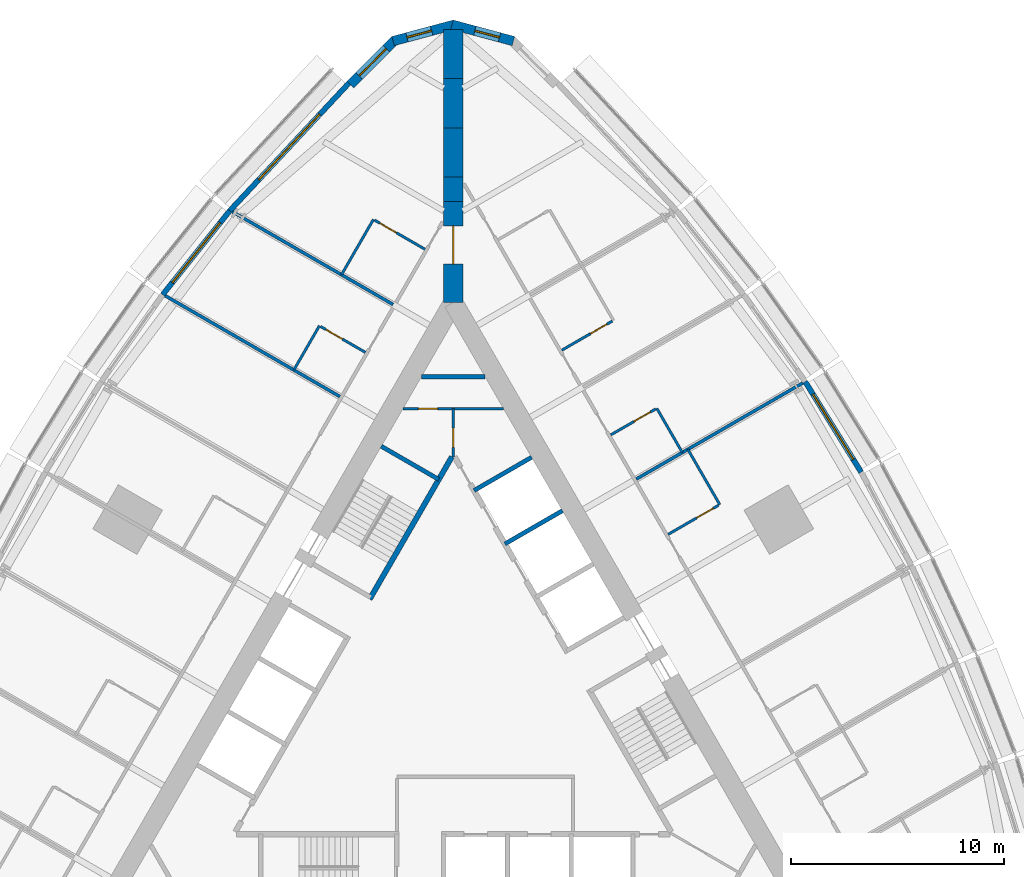
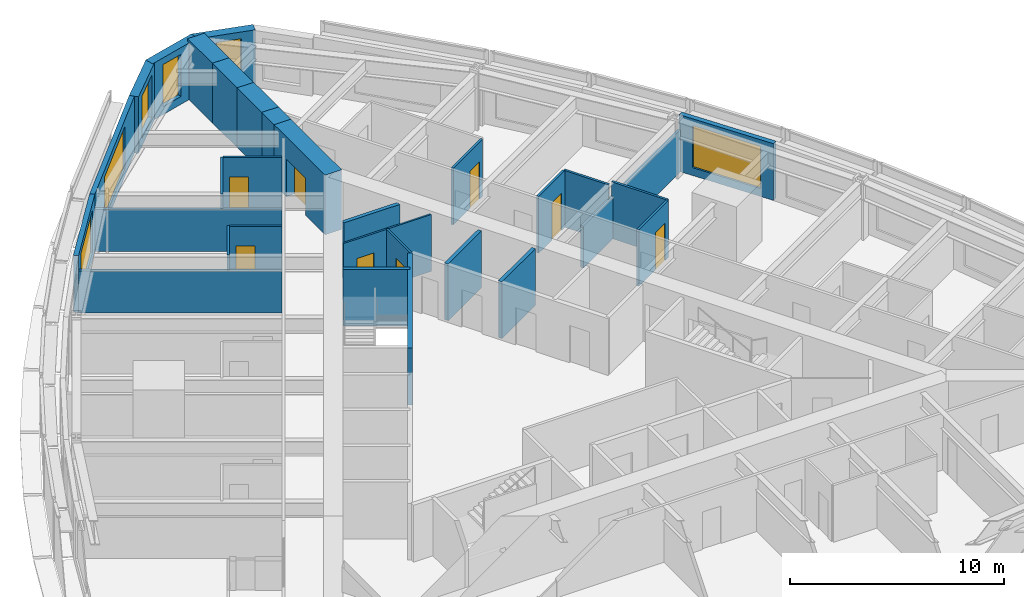
# One storey, part 12 of 14: 30 walls, 8 doors, 6 windows, 14 openings.
"""IFC4 building model written with IfcOpenShell, lengths in metres."""

from ifc_helpers import new_model, si_unit, direction, frame, frame_2d, origin, place, context, subcontext, project, spatial, polyline, rectangle, outline, extrude, material, layer, layer_set, type_object, element, fill, save


model = new_model("IFC4")

# Units and contexts
model_context = context("Model", 3, precision=1e-05, world=origin(), true_north=direction((0.0, 1.0)))
body_context = subcontext(model_context, "Body", "Model", "MODEL_VIEW")
ifc_project = project(units=[si_unit("LENGTHUNIT", "METRE"), si_unit("AREAUNIT", "SQUARE_METRE"), si_unit("VOLUMEUNIT", "CUBIC_METRE"), si_unit("PLANEANGLEUNIT", "RADIAN"), si_unit("MASSUNIT", "GRAM", prefix="KILO")], contexts=[model_context])

# Site, building, storey
site_placement = place(None, origin())
site = spatial("IfcSite", under=ifc_project, at=site_placement, CompositionType="ELEMENT")
building_placement = place(site_placement, origin())
building = spatial("IfcBuilding", under=site, at=building_placement, Name="Trikona Tower", CompositionType="ELEMENT")
storey_placement = place(building_placement, frame((0.0, 0.0, 42.10009765625)))
storey = spatial("IfcBuildingStorey", under=building, at=storey_placement, Name="L09", CompositionType="ELEMENT", Elevation=42.10009765625)

# Wall
ifc_material_1 = material(Name="Metal stud and cement board", Category="gypsum")
ifc_layer_1 = layer(ifc_material_1, 0.1201171875)
ifc_layer_set_1 = layer_set([ifc_layer_1], Name="Bathroom wall 120")
wall_type_1 = type_object("IfcWallType", Name="Bathroom wall 120", PredefinedType="PLUMBINGWALL", material=ifc_layer_set_1)
wall_1_placement = place(storey_placement, frame((12.53271484375, 9.545166015625, 0.0), z_axis=(0.0, 0.0, 1.0), x_axis=(-0.499990139034, 0.866031096941, 0.0)))
element("IfcWall", 1, at=wall_1_placement, inside=storey, type_object=wall_type_1, Name="Bathroom wall 0909", PredefinedType="PLUMBINGWALL", context=body_context, shape_type="SweptSolid", body=[
    extrude(rectangle(XDim=3.0, YDim=0.1201171875, at=frame_2d((1.5, 0.0))), origin(), (0.0, 0.0, 1.0), 3.23486328125),
])

# Wall, opening, door
wall_2_placement = place(storey_placement, frame((10.10791015625, 8.145263671875, 0.0), z_axis=(0.0, 0.0, 1.0), x_axis=(0.866035715982, 0.499982138324, 0.0)))
wall_2 = element("IfcWall", 2, at=wall_2_placement, inside=storey, type_object=wall_type_1, Name="Bathroom wall 0909", PredefinedType="PLUMBINGWALL", context=body_context, shape_type="SweptSolid", body=[
    extrude(rectangle(XDim=2.73974609375, YDim=0.1201171875, at=frame_2d((1.369873046875, 0.0))), origin(), (0.0, 0.0, 1.0), 3.23486328125),
])
opening_1_placement = place(wall_2_placement, frame((1.550048828125, 0.0, 0.0)))
opening_1 = element("IfcOpeningElement", 3, at=opening_1_placement, cuts=wall_2, Name="Opening D2", PredefinedType="OPENING", context=body_context, shape_type="SweptSolid", body=[
    extrude(rectangle(XDim=0.89990234375, YDim=2.1298828125, at=frame_2d((0.449951171875, 1.06494140625))), frame((0.0, 0.070068359375, 0.0), z_axis=(0.0, -1.0, 0.0), x_axis=(1.0, 0.0, 0.0)), (0.0, 0.0, 1.0), 0.14013671875),
])
ifc_material_2 = material(Name="Steel door frame with solid-core timber leaf", Category="steel")
door_type_1 = type_object("IfcDoorType", Name="Bathroom door 900x2130", OperationType="SLIDING_TO_LEFT", PredefinedType="DOOR", material=ifc_material_2)
door_1_placement = place(opening_1_placement, origin())
door_1 = element("IfcDoor", 4, at=door_1_placement, inside=storey, type_object=door_type_1, Name="Bathroom door 0909", OperationType="SLIDING_TO_LEFT", OverallHeight=2.1298828125, OverallWidth=0.89990234375, PredefinedType="DOOR", context=body_context, shape_type="SweptSolid", body=[
    extrude(rectangle(XDim=0.89990234375, YDim=2.1298828125, at=frame_2d((0.449951171875, 1.06494140625))), frame((0.0, 0.02490234375, 0.0), z_axis=(0.0, -1.0, 0.0), x_axis=(1.0, 0.0, 0.0)), (0.0, 0.0, 1.0), 0.050048828125),
])
fill(opening_1, door_1)

# Wall
wall_3_placement = place(storey_placement, frame((10.77294921875, 11.993408203125, 0.0), z_axis=(0.0, 0.0, 1.0), x_axis=(-0.500001309137, 0.866024647952, 0.0)))
element("IfcWall", 5, at=wall_3_placement, inside=storey, type_object=wall_type_1, Name="Bathroom wall 0910", PredefinedType="PLUMBINGWALL", context=body_context, shape_type="SweptSolid", body=[
    extrude(rectangle(XDim=2.39990234375, YDim=0.1201171875, at=frame_2d((1.199951171875, 0.0))), origin(), (0.0, 0.0, 1.0), 3.23486328125),
])

# Wall, opening, door
wall_4_placement = place(storey_placement, frame((7.407958984375, 12.82177734375, 0.0), z_axis=(0.0, 0.0, 1.0), x_axis=(0.866023955769, 0.500002508028, 0.0)))
wall_4 = element("IfcWall", 6, at=wall_4_placement, inside=storey, type_object=wall_type_1, Name="Bathroom wall 0910", PredefinedType="PLUMBINGWALL", context=body_context, shape_type="SweptSolid", body=[
    extrude(rectangle(XDim=2.43994140625, YDim=0.1201171875, at=frame_2d((1.219970703125, 0.0))), origin(), (0.0, 0.0, 1.0), 3.23486328125),
])
opening_2_placement = place(wall_4_placement, frame((1.25, 0.0, 0.0)))
opening_2 = element("IfcOpeningElement", 7, at=opening_2_placement, cuts=wall_4, Name="Opening D2", PredefinedType="OPENING", context=body_context, shape_type="SweptSolid", body=[
    extrude(rectangle(XDim=0.89990234375, YDim=2.1298828125, at=frame_2d((0.449951171875, 1.06494140625))), frame((0.0, 0.070068359375, 0.0), z_axis=(0.0, -1.0, 0.0), x_axis=(1.0, 0.0, 0.0)), (0.0, 0.0, 1.0), 0.14013671875),
])
door_2_placement = place(opening_2_placement, origin())
door_2 = element("IfcDoor", 8, at=door_2_placement, inside=storey, type_object=door_type_1, Name="Bathroom door 0910", OperationType="SLIDING_TO_LEFT", OverallHeight=2.1298828125, OverallWidth=0.89990234375, PredefinedType="DOOR", context=body_context, shape_type="SweptSolid", body=[
    extrude(rectangle(XDim=0.89990234375, YDim=2.1298828125, at=frame_2d((0.449951171875, 1.06494140625))), frame((0.0, 0.02490234375, 0.0), z_axis=(0.0, -1.0, 0.0), x_axis=(1.0, 0.0, 0.0)), (0.0, 0.0, 1.0), 0.050048828125),
])
fill(opening_2, door_2)

wall_5_placement = place(storey_placement, frame((5.10791015625, 16.805419921875, 0.0), z_axis=(0.0, 0.0, 1.0), x_axis=(0.866035715982, 0.499982138324, 0.0)))
wall_5 = element("IfcWall", 9, at=wall_5_placement, inside=storey, type_object=wall_type_1, Name="Bathroom wall 0911", PredefinedType="PLUMBINGWALL", context=body_context, shape_type="SweptSolid", body=[
    extrude(rectangle(XDim=2.73974609375, YDim=0.1201171875, at=frame_2d((1.369873046875, 0.0))), origin(), (0.0, 0.0, 1.0), 3.23486328125),
])
opening_3_placement = place(wall_5_placement, frame((1.550048828125, 0.0, 0.0)))
opening_3 = element("IfcOpeningElement", 10, at=opening_3_placement, cuts=wall_5, Name="Opening D2", PredefinedType="OPENING", context=body_context, shape_type="SweptSolid", body=[
    extrude(rectangle(XDim=0.89990234375, YDim=2.1298828125, at=frame_2d((0.449951171875, 1.06494140625))), frame((0.0, 0.070068359375, 0.0), z_axis=(0.0, -1.0, 0.0), x_axis=(1.0, 0.0, 0.0)), (0.0, 0.0, 1.0), 0.14013671875),
])
door_3_placement = place(opening_3_placement, origin())
door_3 = element("IfcDoor", 11, at=door_3_placement, inside=storey, type_object=door_type_1, Name="Bathroom door 0911", OperationType="SLIDING_TO_LEFT", OverallHeight=2.1298828125, OverallWidth=0.89990234375, PredefinedType="DOOR", context=body_context, shape_type="SweptSolid", body=[
    extrude(rectangle(XDim=0.89990234375, YDim=2.1298828125, at=frame_2d((0.449951171875, 1.06494140625))), frame((0.0, 0.02490234375, 0.0), z_axis=(0.0, -1.0, 0.0), x_axis=(1.0, 0.0, 0.0)), (0.0, 0.0, 1.0), 0.050048828125),
])
fill(opening_3, door_3)

# Wall
wall_6_placement = place(storey_placement, frame((-3.75341796875, 22.95166015625, 0.0), z_axis=(0.0, 0.0, 1.0), x_axis=(-0.499990139034, -0.866031096941, 0.0)))
element("IfcWall", 12, at=wall_6_placement, inside=storey, type_object=wall_type_1, Name="Bathroom wall 0913", PredefinedType="PLUMBINGWALL", context=body_context, shape_type="SweptSolid", body=[
    extrude(rectangle(XDim=3.0, YDim=0.1201171875, at=frame_2d((1.5, 0.0))), origin(), (0.0, 0.0, 1.0), 3.23486328125),
])

# Wall, opening, door
wall_7_placement = place(storey_placement, frame((-1.32861328125, 21.551513671875, 0.0), z_axis=(0.0, 0.0, 1.0), x_axis=(-0.865997131366, 0.500048966069, 0.0)))
wall_7 = element("IfcWall", 13, at=wall_7_placement, inside=storey, type_object=wall_type_1, Name="Bathroom wall 0913", PredefinedType="PLUMBINGWALL", context=body_context, shape_type="SweptSolid", body=[
    extrude(rectangle(XDim=2.739990234375, YDim=0.1201171875, at=frame_2d((1.3701171875, 0.0))), origin(), (0.0, 0.0, 1.0), 3.23486328125),
])
opening_4_placement = place(wall_7_placement, frame((1.550048828125, 0.0, 0.0)))
opening_4 = element("IfcOpeningElement", 14, at=opening_4_placement, cuts=wall_7, Name="Opening D2", PredefinedType="OPENING", context=body_context, shape_type="SweptSolid", body=[
    extrude(rectangle(XDim=0.89990234375, YDim=2.1298828125, at=frame_2d((0.449951171875, 1.06494140625))), frame((0.0, 0.070068359375, 0.0), z_axis=(0.0, -1.0, 0.0), x_axis=(1.0, 0.0, 0.0)), (0.0, 0.0, 1.0), 0.14013671875),
])
door_4_placement = place(opening_4_placement, origin())
door_4 = element("IfcDoor", 15, at=door_4_placement, inside=storey, type_object=door_type_1, Name="Bathroom door 0913", OperationType="SLIDING_TO_LEFT", OverallHeight=2.1298828125, OverallWidth=0.89990234375, PredefinedType="DOOR", context=body_context, shape_type="SweptSolid", body=[
    extrude(rectangle(XDim=0.89990234375, YDim=2.1298828125, at=frame_2d((0.449951171875, 1.06494140625))), frame((0.0, 0.02490234375, 0.0), z_axis=(0.0, -1.0, 0.0), x_axis=(1.0, 0.0, 0.0)), (0.0, 0.0, 1.0), 0.050048828125),
])
fill(opening_4, door_4)

# Wall
wall_8_placement = place(storey_placement, frame((-6.29345703125, 17.951904296875, 0.0), z_axis=(0.0, 0.0, 1.0), x_axis=(-0.499957262057, -0.866050077142, 0.0)))
element("IfcWall", 16, at=wall_8_placement, inside=storey, type_object=wall_type_1, Name="Bathroom wall 0914", PredefinedType="PLUMBINGWALL", context=body_context, shape_type="SweptSolid", body=[
    extrude(rectangle(XDim=2.400146484375, YDim=0.1201171875, at=frame_2d((1.2001953125, 0.0))), origin(), (0.0, 0.0, 1.0), 3.23486328125),
])

# Wall, opening, door
wall_9_placement = place(storey_placement, frame((-4.12841796875, 16.701904296875, 0.0), z_axis=(0.0, 0.0, 1.0), x_axis=(-0.866048967903, 0.499959183527, 0.0)))
wall_9 = element("IfcWall", 17, at=wall_9_placement, inside=storey, type_object=wall_type_1, Name="Bathroom wall 0914", PredefinedType="PLUMBINGWALL", context=body_context, shape_type="SweptSolid", body=[
    extrude(rectangle(XDim=2.440185546875, YDim=0.1201171875, at=frame_2d((1.22021484375, 0.0))), origin(), (0.0, 0.0, 1.0), 3.23486328125),
])
opening_5_placement = place(wall_9_placement, frame((1.25, 0.0, 0.0)))
opening_5 = element("IfcOpeningElement", 18, at=opening_5_placement, cuts=wall_9, Name="Opening D2", PredefinedType="OPENING", context=body_context, shape_type="SweptSolid", body=[
    extrude(rectangle(XDim=0.89990234375, YDim=2.1298828125, at=frame_2d((0.449951171875, 1.06494140625))), frame((0.0, 0.070068359375, 0.0), z_axis=(0.0, -1.0, 0.0), x_axis=(1.0, 0.0, 0.0)), (0.0, 0.0, 1.0), 0.14013671875),
])
door_5_placement = place(opening_5_placement, origin())
door_5 = element("IfcDoor", 19, at=door_5_placement, inside=storey, type_object=door_type_1, Name="Bathroom door 0914", OperationType="SLIDING_TO_LEFT", OverallHeight=2.1298828125, OverallWidth=0.89990234375, PredefinedType="DOOR", context=body_context, shape_type="SweptSolid", body=[
    extrude(rectangle(XDim=0.89990234375, YDim=2.1298828125, at=frame_2d((0.449951171875, 1.06494140625))), frame((0.0, 0.02490234375, 0.0), z_axis=(0.0, -1.0, 0.0), x_axis=(1.0, 0.0, 0.0)), (0.0, 0.0, 1.0), 0.050048828125),
])
fill(opening_5, door_5)

# Wall, opening, window
ifc_material_3 = material(Name="Brick-faced precast concrete", Category="masonry")
ifc_layer_2 = layer(ifc_material_3, 0.449951171875)
ifc_layer_set_2 = layer_set([ifc_layer_2], Name="Brick-faced corner wall 450")
wall_type_2 = type_object("IfcWallType", Name="Brick-faced corner wall 450", PredefinedType="SOLIDWALL", material=ifc_layer_set_2)
wall_10_placement = place(storey_placement, frame((2.82861328125, 31.3408203125, 0.0), z_axis=(0.0, 0.0, 1.0), x_axis=(-0.965930548995, 0.258801419081, 0.0)))
wall_10 = element("IfcWall", 20, at=wall_10_placement, inside=storey, type_object=wall_type_2, Name="External wall L09-21", PredefinedType="SOLIDWALL", context=body_context, shape_type="SweptSolid", body=[
    extrude(outline(polyline([(2.988525390625, 0.22509765625), (2.92919921875, 0.22509765625), (2.4375, 0.09326171875), (2.40234375, 0.22509765625), (0.0, 0.22509765625), (0.0, -0.22509765625), (2.988525390625, -0.22509765625), (2.988525390625, 0.22509765625)])), origin(), (0.0, 0.0, 1.0), 3.23486328125),
])
opening_6_placement = place(wall_10_placement, frame((0.676025390625, 0.0, 0.449951171875)))
opening_6 = element("IfcOpeningElement", 21, at=opening_6_placement, cuts=wall_10, Name="Opening W1224", PredefinedType="OPENING", context=body_context, shape_type="SweptSolid", body=[
    extrude(rectangle(XDim=1.199951171875, YDim=2.39990234375, at=frame_2d((0.60009765625, 1.199951171875))), frame((0.0, 0.23486328125, 0.0), z_axis=(0.0, -1.0, 0.0), x_axis=(1.0, 0.0, 0.0)), (0.0, 0.0, 1.0), 0.469970703125),
])
ifc_material_4 = material(Name="Aluminium-framed double glazing", Category="aluminium")
window_type_1 = type_object("IfcWindowType", Name="Window 1200x2400", PartitioningType="SINGLE_PANEL", PredefinedType="WINDOW", material=ifc_material_4)
window_1_placement = place(opening_6_placement, origin())
window_1 = element("IfcWindow", 22, at=window_1_placement, inside=storey, type_object=window_type_1, Name="Window 0912", OverallHeight=2.39990234375, OverallWidth=1.199951171875, PartitioningType="SINGLE_PANEL", PredefinedType="WINDOW", context=body_context, shape_type="SweptSolid", body=[
    extrude(rectangle(XDim=1.199951171875, YDim=2.39990234375, at=frame_2d((0.60009765625, 1.199951171875))), frame((0.0, 0.030029296875, 0.0), z_axis=(0.0, -1.0, 0.0), x_axis=(1.0, 0.0, 0.0)), (0.0, 0.0, 1.0), 0.06005859375),
])
fill(opening_6, window_1)

wall_11_placement = place(storey_placement, frame((0.05810546875, 32.1142578125, 0.0), z_axis=(0.0, 0.0, 1.0), x_axis=(-0.965930548995, -0.258801419081, 0.0)))
wall_11 = element("IfcWall", 23, at=wall_11_placement, inside=storey, type_object=wall_type_2, Name="External wall L09-22", PredefinedType="SOLIDWALL", context=body_context, shape_type="SweptSolid", body=[
    extrude(outline(polyline([(2.988525390625, 0.22509765625), (0.58642578125, 0.22509765625), (0.551025390625, 0.09326171875), (0.059326171875, 0.22509765625), (0.0, 0.22509765625), (0.0, -0.22509765625), (2.988525390625, -0.22509765625), (2.988525390625, 0.22509765625)])), origin(), (0.0, 0.0, 1.0), 3.23486328125),
])
opening_7_placement = place(wall_11_placement, frame((1.112548828125, 0.0, 0.449951171875)))
opening_7 = element("IfcOpeningElement", 24, at=opening_7_placement, cuts=wall_11, Name="Opening W1224", PredefinedType="OPENING", context=body_context, shape_type="SweptSolid", body=[
    extrude(rectangle(XDim=1.199951171875, YDim=2.39990234375, at=frame_2d((0.60009765625, 1.199951171875))), frame((0.0, 0.23486328125, 0.0), z_axis=(0.0, -1.0, 0.0), x_axis=(1.0, 0.0, 0.0)), (0.0, 0.0, 1.0), 0.469970703125),
])
window_2_placement = place(opening_7_placement, origin())
window_2 = element("IfcWindow", 25, at=window_2_placement, inside=storey, type_object=window_type_1, Name="Window 0913", OverallHeight=2.39990234375, OverallWidth=1.199951171875, PartitioningType="SINGLE_PANEL", PredefinedType="WINDOW", context=body_context, shape_type="SweptSolid", body=[
    extrude(rectangle(XDim=1.199951171875, YDim=2.39990234375, at=frame_2d((0.60009765625, 1.199951171875))), frame((0.0, 0.030029296875, 0.0), z_axis=(0.0, -1.0, 0.0), x_axis=(1.0, 0.0, 0.0)), (0.0, 0.0, 1.0), 0.06005859375),
])
fill(opening_7, window_2)

wall_12_placement = place(storey_placement, frame((-2.727783203125, 31.39892578125, 0.0), z_axis=(0.0, 0.0, 1.0), x_axis=(-0.707106781187, -0.707106781187, 0.0)))
wall_12 = element("IfcWall", 26, at=wall_12_placement, inside=storey, type_object=wall_type_2, Name="External wall L09-23", PredefinedType="SOLIDWALL", context=body_context, shape_type="SweptSolid", body=[
    extrude(rectangle(XDim=2.98828125, YDim=0.449951171875, at=frame_2d((1.494140625, 0.0))), origin(), (0.0, 0.0, 1.0), 3.23486328125),
])
opening_8_placement = place(wall_12_placement, frame((0.59423828125, 0.0, 0.449951171875)))
opening_8 = element("IfcOpeningElement", 27, at=opening_8_placement, cuts=wall_12, Name="Opening W1824", PredefinedType="OPENING", context=body_context, shape_type="SweptSolid", body=[
    extrude(rectangle(XDim=1.800048828125, YDim=2.39990234375, at=frame_2d((0.89990234375, 1.199951171875))), frame((0.0, 0.23486328125, 0.0), z_axis=(0.0, -1.0, 0.0), x_axis=(1.0, 0.0, 0.0)), (0.0, 0.0, 1.0), 0.469970703125),
])
ifc_material_5 = material(Name="Aluminium-framed double glazing", Category="aluminium")
window_type_2 = type_object("IfcWindowType", Name="Window 1800x2400", PartitioningType="SINGLE_PANEL", PredefinedType="WINDOW", material=ifc_material_5)
window_3_placement = place(opening_8_placement, origin())
window_3 = element("IfcWindow", 28, at=window_3_placement, inside=storey, type_object=window_type_2, Name="Window 0913", OverallHeight=2.39990234375, OverallWidth=1.800048828125, PartitioningType="SINGLE_PANEL", PredefinedType="WINDOW", context=body_context, shape_type="SweptSolid", body=[
    extrude(rectangle(XDim=1.800048828125, YDim=2.39990234375, at=frame_2d((0.89990234375, 1.199951171875))), frame((0.0, 0.030029296875, 0.0), z_axis=(0.0, -1.0, 0.0), x_axis=(1.0, 0.0, 0.0)), (0.0, 0.0, 1.0), 0.06005859375),
])
fill(opening_8, window_3)

# Wall, opening, door
ifc_material_6 = material(Name="Concrete f'c 10000 psi", Category="concrete")
ifc_layer_3 = layer(ifc_material_6, 0.89990234375)
ifc_layer_set_3 = layer_set([ifc_layer_3], Name="Buttress wall 900")
wall_type_3 = type_object("IfcWallType", Name="Buttress wall 900", PredefinedType="SHEAR", material=ifc_layer_set_3)
wall_13_placement = place(storey_placement, frame((0.0, 19.052490234375, 0.0), z_axis=(0.0, 0.0, 1.0), x_axis=(0.0, 1.0, 0.0)))
wall_13 = element("IfcWall", 29, at=wall_13_placement, inside=storey, type_object=wall_type_3, Name="Buttress wall 2", PredefinedType="SHEAR", context=body_context, shape_type="SweptSolid", body=[
    extrude(rectangle(XDim=4.74609375, YDim=0.89990234375, at=frame_2d((2.373046875, 0.0))), origin(), (0.0, 0.0, 1.0), 3.39990234375),
])
opening_9_placement = place(wall_13_placement, frame((1.800048828125, 0.0, 0.0)))
opening_9 = element("IfcOpeningElement", 30, at=opening_9_placement, cuts=wall_13, Name="Opening D10", PredefinedType="OPENING", context=body_context, shape_type="SweptSolid", body=[
    extrude(rectangle(XDim=1.800048828125, YDim=2.1298828125, at=frame_2d((0.89990234375, 1.06494140625))), frame((0.0, 0.4599609375, 0.0), z_axis=(0.0, -1.0, 0.0), x_axis=(1.0, 0.0, 0.0)), (0.0, 0.0, 1.0), 0.919921875),
])
ifc_material_7 = material(Name="Hollow metal door and frame", Category="steel")
door_type_2 = type_object("IfcDoorType", Name="Cross-corridor door pair 1800x2130", OperationType="DOUBLE_DOOR_DOUBLE_SWING", PredefinedType="DOOR", material=ifc_material_7)
door_6_placement = place(opening_9_placement, origin())
door_6 = element("IfcDoor", 31, at=door_6_placement, inside=storey, type_object=door_type_2, Name="Cross-corridor door 2", OperationType="DOUBLE_DOOR_DOUBLE_SWING", OverallHeight=2.1298828125, OverallWidth=1.800048828125, PredefinedType="DOOR", context=body_context, shape_type="SweptSolid", body=[
    extrude(rectangle(XDim=1.800048828125, YDim=2.1298828125, at=frame_2d((0.89990234375, 1.06494140625))), frame((0.0, 0.02490234375, 0.0), z_axis=(0.0, -1.0, 0.0), x_axis=(1.0, 0.0, 0.0)), (0.0, 0.0, 1.0), 0.050048828125),
])
fill(opening_9, door_6)

# Walls
wall_14_placement = place(storey_placement, frame((0.0, 23.798583984375, 0.0), z_axis=(0.0, 0.0, 1.0), x_axis=(0.0, 1.0, 0.0)))
element("IfcWall", 32, at=wall_14_placement, inside=storey, type_object=wall_type_3, Name="Buttress wall 2 part 2", PredefinedType="SHEAR", context=body_context, shape_type="SweptSolid", body=[
    extrude(rectangle(XDim=1.15478515625, YDim=0.89990234375, at=frame_2d((0.577392578125, 0.0))), origin(), (0.0, 0.0, 1.0), 3.39990234375),
])
wall_15_placement = place(storey_placement, frame((0.0, 24.953369140625, 0.0), z_axis=(0.0, 0.0, 1.0), x_axis=(0.0, 1.0, 0.0)))
element("IfcWall", 33, at=wall_15_placement, inside=storey, type_object=wall_type_3, Name="Buttress wall 2 part 3", PredefinedType="SHEAR", context=body_context, shape_type="SweptSolid", body=[
    extrude(rectangle(XDim=2.309326171875, YDim=0.89990234375, at=frame_2d((1.15478515625, 0.0))), origin(), (0.0, 0.0, 1.0), 3.39990234375),
])
wall_16_placement = place(storey_placement, frame((0.0, 27.2626953125, 0.0), z_axis=(0.0, 0.0, 1.0), x_axis=(0.0, 1.0, 0.0)))
element("IfcWall", 34, at=wall_16_placement, inside=storey, type_object=wall_type_3, Name="Buttress wall 2 part 4", PredefinedType="SHEAR", context=body_context, shape_type="SweptSolid", body=[
    extrude(rectangle(XDim=2.3095703125, YDim=0.89990234375, at=frame_2d((1.15478515625, 0.0))), origin(), (0.0, 0.0, 1.0), 3.39990234375),
])
wall_17_placement = place(storey_placement, frame((0.0, 29.572265625, 0.0), z_axis=(0.0, 0.0, 1.0), x_axis=(0.0, 1.0, 0.0)))
element("IfcWall", 35, at=wall_17_placement, inside=storey, type_object=wall_type_3, Name="Buttress wall 2 part 5", PredefinedType="SHEAR", context=body_context, shape_type="SweptSolid", body=[
    extrude(rectangle(XDim=2.309326171875, YDim=0.89990234375, at=frame_2d((1.15478515625, 0.0))), origin(), (0.0, 0.0, 1.0), 3.39990234375),
])
ifc_material_8 = material(Name="Concrete f'c 8000 psi", Category="concrete")
ifc_layer_4 = layer(ifc_material_8, 0.25)
ifc_layer_set_4 = layer_set([ifc_layer_4], Name="Hub wall 250")
wall_type_4 = type_object("IfcWallType", Name="Hub wall 250", PredefinedType="SOLIDWALL", material=ifc_layer_set_4)
wall_18_placement = place(storey_placement, frame((-0.0625, 11.794189453125, 0.0), z_axis=(0.0, 0.0, 1.0), x_axis=(-0.500006680225, -0.86602154692, 0.0)))
element("IfcWall", 36, at=wall_18_placement, inside=storey, type_object=wall_type_4, Name="Lift lobby wall C1", PredefinedType="SOLIDWALL", context=body_context, shape_type="SweptSolid", body=[
    extrude(rectangle(XDim=7.73291015625, YDim=0.25, at=frame_2d((3.866455078125, 0.0))), origin(), (0.0, 0.0, 1.0), 3.23486328125),
])

# Wall, opening, window
ifc_material_9 = material(Name="Insulated precast concrete spandrel panel", Category="concrete")
ifc_layer_5 = layer(ifc_material_9, 0.25)
ifc_layer_set_5 = layer_set([ifc_layer_5], Name="Inner skin wall 250")
wall_type_5 = type_object("IfcWallType", Name="Inner skin wall 250", PredefinedType="STANDARD", material=ifc_layer_set_5)
wall_19_placement = place(storey_placement, frame((19.182373046875, 11.070556640625, 0.0), z_axis=(0.0, 0.0, 1.0), x_axis=(-0.526132807704, 0.850402415717, 0.0)))
wall_19 = element("IfcWall", 37, at=wall_19_placement, inside=storey, type_object=wall_type_5, Name="External wall L09-16", PredefinedType="STANDARD", context=body_context, shape_type="SweptSolid", body=[
    extrude(rectangle(XDim=5.002197265625, YDim=0.25, at=frame_2d((2.5009765625, 0.0))), origin(), (0.0, 0.0, 1.0), 3.23486328125),
])
opening_10_placement = place(wall_19_placement, frame((0.701171875, 0.0, 0.449951171875)))
opening_10 = element("IfcOpeningElement", 38, at=opening_10_placement, cuts=wall_19, Name="Opening W3624", PredefinedType="OPENING", context=body_context, shape_type="SweptSolid", body=[
    extrude(rectangle(XDim=3.60009765625, YDim=2.39990234375, at=frame_2d((1.800048828125, 1.199951171875))), frame((0.0, 0.135009765625, 0.0), z_axis=(0.0, -1.0, 0.0), x_axis=(1.0, 0.0, 0.0)), (0.0, 0.0, 1.0), 0.27001953125),
])
ifc_material_10 = material(Name="Aluminium-framed double glazing", Category="aluminium")
window_type_3 = type_object("IfcWindowType", Name="Window 3600x2400", PartitioningType="SINGLE_PANEL", PredefinedType="WINDOW", material=ifc_material_10)
window_4_placement = place(opening_10_placement, origin())
window_4 = element("IfcWindow", 39, at=window_4_placement, inside=storey, type_object=window_type_3, Name="Window 0909", OverallHeight=2.39990234375, OverallWidth=3.60009765625, PartitioningType="SINGLE_PANEL", PredefinedType="WINDOW", context=body_context, shape_type="SweptSolid", body=[
    extrude(rectangle(XDim=3.60009765625, YDim=2.39990234375, at=frame_2d((1.800048828125, 1.199951171875))), frame((0.0, 0.030029296875, 0.0), z_axis=(0.0, -1.0, 0.0), x_axis=(1.0, 0.0, 0.0)), (0.0, 0.0, 1.0), 0.06005859375),
])
fill(opening_10, window_4)

wall_20_placement = place(storey_placement, frame((-4.90869140625, 29.359619140625, 0.0), z_axis=(0.0, 0.0, 1.0), x_axis=(-0.682289646561, -0.731081964075, 0.0)))
wall_20 = element("IfcWall", 40, at=wall_20_placement, inside=storey, type_object=wall_type_5, Name="External wall L09-24", PredefinedType="STANDARD", context=body_context, shape_type="SweptSolid", body=[
    extrude(rectangle(XDim=8.2109375, YDim=0.25, at=frame_2d((4.10546875, 0.0))), origin(), (0.0, 0.0, 1.0), 3.23486328125),
])
opening_11_placement = place(wall_20_placement, frame((2.005615234375, 0.0, 0.449951171875)))
opening_11 = element("IfcOpeningElement", 41, at=opening_11_placement, cuts=wall_20, Name="Opening W4224", PredefinedType="OPENING", context=body_context, shape_type="SweptSolid", body=[
    extrude(rectangle(XDim=4.199951171875, YDim=2.39990234375, at=frame_2d((2.10009765625, 1.199951171875))), frame((0.0, 0.135009765625, 0.0), z_axis=(0.0, -1.0, 0.0), x_axis=(1.0, 0.0, 0.0)), (0.0, 0.0, 1.0), 0.27001953125),
])
ifc_material_11 = material(Name="Aluminium-framed double glazing", Category="aluminium")
window_type_4 = type_object("IfcWindowType", Name="Window 4200x2400", PartitioningType="SINGLE_PANEL", PredefinedType="WINDOW", material=ifc_material_11)
window_5_placement = place(opening_11_placement, origin())
window_5 = element("IfcWindow", 42, at=window_5_placement, inside=storey, type_object=window_type_4, Name="Window 0913", OverallHeight=2.39990234375, OverallWidth=4.199951171875, PartitioningType="SINGLE_PANEL", PredefinedType="WINDOW", context=body_context, shape_type="SweptSolid", body=[
    extrude(rectangle(XDim=4.199951171875, YDim=2.39990234375, at=frame_2d((2.10009765625, 1.199951171875))), frame((0.0, 0.030029296875, 0.0), z_axis=(0.0, -1.0, 0.0), x_axis=(1.0, 0.0, 0.0)), (0.0, 0.0, 1.0), 0.06005859375),
])
fill(opening_11, window_5)

wall_21_placement = place(storey_placement, frame((-10.5048828125, 23.36376953125, 0.0), z_axis=(0.0, 0.0, 1.0), x_axis=(-0.624594965756, -0.780948864364, 0.0)))
wall_21 = element("IfcWall", 43, at=wall_21_placement, inside=storey, type_object=wall_type_5, Name="External wall L09-25", PredefinedType="STANDARD", context=body_context, shape_type="SweptSolid", body=[
    extrude(rectangle(XDim=5.0576171875, YDim=0.25, at=frame_2d((2.52880859375, 0.0))), origin(), (0.0, 0.0, 1.0), 3.23486328125),
])
opening_12_placement = place(wall_21_placement, frame((0.728759765625, 0.0, 0.449951171875)))
opening_12 = element("IfcOpeningElement", 44, at=opening_12_placement, cuts=wall_21, Name="Opening W3624", PredefinedType="OPENING", context=body_context, shape_type="SweptSolid", body=[
    extrude(rectangle(XDim=3.60009765625, YDim=2.39990234375, at=frame_2d((1.800048828125, 1.199951171875))), frame((0.0, 0.135009765625, 0.0), z_axis=(0.0, -1.0, 0.0), x_axis=(1.0, 0.0, 0.0)), (0.0, 0.0, 1.0), 0.27001953125),
])
window_6_placement = place(opening_12_placement, origin())
window_6 = element("IfcWindow", 45, at=window_6_placement, inside=storey, type_object=window_type_3, Name="Window 0914", OverallHeight=2.39990234375, OverallWidth=3.60009765625, PartitioningType="SINGLE_PANEL", PredefinedType="WINDOW", context=body_context, shape_type="SweptSolid", body=[
    extrude(rectangle(XDim=3.60009765625, YDim=2.39990234375, at=frame_2d((1.800048828125, 1.199951171875))), frame((0.0, 0.030029296875, 0.0), z_axis=(0.0, -1.0, 0.0), x_axis=(1.0, 0.0, 0.0)), (0.0, 0.0, 1.0), 0.06005859375),
])
fill(opening_12, window_6)

# Walls
ifc_material_12 = material(Name="Metal stud and gypsum board, 1-hour acoustic", Category="gypsum")
ifc_layer_6 = layer(ifc_material_12, 0.14990234375)
ifc_layer_set_6 = layer_set([ifc_layer_6], Name="Party wall 150")
wall_type_6 = type_object("IfcWallType", Name="Party wall 150", PredefinedType="PARTITIONING", material=ifc_layer_set_6)
wall_22_placement = place(storey_placement, frame((8.60791015625, 10.743408203125, 0.0), z_axis=(0.0, 0.0, 1.0), x_axis=(0.866028232062, 0.499995101247, 0.0)))
element("IfcWall", 46, at=wall_22_placement, inside=storey, type_object=wall_type_6, Name="Partition L09 F2 u5", PredefinedType="PARTITIONING", context=body_context, shape_type="SweptSolid", body=[
    extrude(rectangle(XDim=9.04296875, YDim=0.14990234375, at=frame_2d((4.521484375, 0.0))), origin(), (0.0, 0.0, 1.0), 2.38916015625),
])
wall_23_placement = place(storey_placement, frame((-2.82861328125, 18.95361328125, 0.0), z_axis=(0.0, 0.0, 1.0), x_axis=(-0.866020536561, 0.500008430184, 0.0)))
element("IfcWall", 47, at=wall_23_placement, inside=storey, type_object=wall_type_6, Name="Partition L09 F3 u-15", PredefinedType="PARTITIONING", context=body_context, shape_type="SweptSolid", body=[
    extrude(rectangle(XDim=8.719970703125, YDim=0.14990234375, at=frame_2d((4.35986328125, 0.0))), origin(), (0.0, 0.0, 1.0), 2.38916015625),
])
wall_24_placement = place(storey_placement, frame((-5.32861328125, 14.623291015625, 0.0), z_axis=(0.0, 0.0, 1.0), x_axis=(-0.866018409083, 0.500012114982, 0.0)))
element("IfcWall", 48, at=wall_24_placement, inside=storey, type_object=wall_type_6, Name="Partition L09 F3 u-10", PredefinedType="PARTITIONING", context=body_context, shape_type="SweptSolid", body=[
    extrude(rectangle(XDim=9.484619140625, YDim=0.14990234375, at=frame_2d((4.7421875, 0.0))), origin(), (0.0, 0.0, 1.0), 2.38916015625),
])
ifc_material_13 = material(Name="Concrete f'c 8000 psi", Category="concrete")
ifc_layer_7 = layer(ifc_material_13, 0.199951171875)
ifc_layer_set_7 = layer_set([ifc_layer_7], Name="Shaft wall 200")
wall_type_7 = type_object("IfcWallType", Name="Shaft wall 200", PredefinedType="SOLIDWALL", material=ifc_layer_set_7)
for number, where, z_axis, x_axis, name in (
    (49, (2.428955078125, 7.695556640625, 0.0), (0.0, 0.0, 1.0), (0.866022959057, 0.500004234368, 0.0), "Shaft wall B5"),
    (50, (0.97900390625, 10.20703125, 0.0), (0.0, 0.0, 1.0), (0.866022959057, 0.500004234368, 0.0), "Shaft wall B6"),
):
    element("IfcWall", number, at=place(storey_placement, frame(where, z_axis=z_axis, x_axis=x_axis)), inside=storey, type_object=wall_type_7, Name=name, PredefinedType="SOLIDWALL", context=body_context, shape_type="SweptSolid", body=[
        extrude(rectangle(XDim=3.125, YDim=0.199951171875, at=frame_2d((1.5625, 0.0))), origin(), (0.0, 0.0, 1.0), 3.23486328125),
    ])
wall_25_placement = place(storey_placement, frame((-1.501220703125, 15.552490234375, 0.0), z_axis=(0.0, 0.0, 1.0), x_axis=(1.0, 0.0, 0.0)))
element("IfcWall", 51, at=wall_25_placement, inside=storey, type_object=wall_type_7, Name="Riser wall L09-RS2", PredefinedType="SOLIDWALL", context=body_context, shape_type="SweptSolid", body=[
    extrude(rectangle(XDim=3.00244140625, YDim=0.199951171875, at=frame_2d((1.501220703125, 0.0))), origin(), (0.0, 0.0, 1.0), 3.23486328125),
])
ifc_material_14 = material(Name="Concrete f'c 8000 psi", Category="concrete")
ifc_layer_8 = layer(ifc_material_14, 0.199951171875)
ifc_layer_set_8 = layer_set([ifc_layer_8], Name="Shaft wall 200 load-bearing")
wall_type_8 = type_object("IfcWallType", Name="Shaft wall 200 load-bearing", PredefinedType="SOLIDWALL", material=ifc_layer_set_8)
wall_26_placement = place(storey_placement, frame((-0.678955078125, 10.7265625, 0.0), z_axis=(0.0, 0.0, 1.0), x_axis=(-0.866022959057, 0.500004234368, 0.0)))
element("IfcWall", 52, at=wall_26_placement, inside=storey, type_object=wall_type_8, Name="Shaft wall C1", PredefinedType="SOLIDWALL", context=body_context, shape_type="SweptSolid", body=[
    extrude(rectangle(XDim=3.125, YDim=0.199951171875, at=frame_2d((1.5625, 0.0))), origin(), (0.0, 0.0, 1.0), 3.23486328125),
])

# Wall, opening, door
ifc_material_15 = material(Name="Metal stud and gypsum board, acoustic", Category="gypsum")
ifc_layer_9 = layer(ifc_material_15, 0.10009765625)
ifc_layer_set_9 = layer_set([ifc_layer_9], Name="Suite partition 100")
wall_type_9 = type_object("IfcWallType", Name="Suite partition 100", PredefinedType="PARTITIONING", material=ifc_layer_set_9)
wall_27_placement = place(storey_placement, frame((-2.3671875, 14.052490234375, 0.0), z_axis=(0.0, 0.0, 1.0), x_axis=(1.0, 0.0, 0.0)))
wall_27 = element("IfcWall", 53, at=wall_27_placement, inside=storey, type_object=wall_type_9, Name="Store partition L09-RS2", PredefinedType="PARTITIONING", context=body_context, shape_type="SweptSolid", body=[
    extrude(rectangle(XDim=4.734375, YDim=0.10009765625, at=frame_2d((2.3671875, 0.0))), origin(), (0.0, 0.0, 1.0), 3.23486328125),
])
opening_13_placement = place(wall_27_placement, frame((0.733642578125, 0.0, 0.0)))
opening_13 = element("IfcOpeningElement", 54, at=opening_13_placement, cuts=wall_27, Name="Opening D15", PredefinedType="OPENING", context=body_context, shape_type="SweptSolid", body=[
    extrude(rectangle(XDim=0.89990234375, YDim=2.1298828125, at=frame_2d((0.449951171875, 1.06494140625))), frame((0.0, 0.06005859375, 0.0), z_axis=(0.0, -1.0, 0.0), x_axis=(1.0, 0.0, 0.0)), (0.0, 0.0, 1.0), 0.1201171875),
])
ifc_material_16 = material(Name="Steel door frame with solid-core timber leaf", Category="steel")
door_type_3 = type_object("IfcDoorType", Name="Store door 900x2130", OperationType="SINGLE_SWING_LEFT", PredefinedType="DOOR", material=ifc_material_16)
door_7_placement = place(opening_13_placement, origin())
door_7 = element("IfcDoor", 55, at=door_7_placement, inside=storey, type_object=door_type_3, Name="Door Cleaner's store CLN", OperationType="SINGLE_SWING_LEFT", OverallHeight=2.1298828125, OverallWidth=0.89990234375, PredefinedType="DOOR", context=body_context, shape_type="SweptSolid", body=[
    extrude(rectangle(XDim=0.89990234375, YDim=2.1298828125, at=frame_2d((0.449951171875, 1.06494140625))), frame((0.0, 0.02490234375, 0.0), z_axis=(0.0, -1.0, 0.0), x_axis=(1.0, 0.0, 0.0)), (0.0, 0.0, 1.0), 0.050048828125),
])
fill(opening_13, door_7)

wall_28_placement = place(storey_placement, frame((0.0, 14.052490234375, 0.0), z_axis=(0.0, 0.0, 1.0), x_axis=(0.0, -1.0, 0.0)))
wall_28 = element("IfcWall", 56, at=wall_28_placement, inside=storey, type_object=wall_type_9, Name="Store partition L09-RS2", PredefinedType="PARTITIONING", context=body_context, shape_type="SweptSolid", body=[
    extrude(rectangle(XDim=2.275146484375, YDim=0.10009765625, at=frame_2d((1.1376953125, 0.0))), origin(), (0.0, 0.0, 1.0), 3.23486328125),
])
opening_14_placement = place(wall_28_placement, frame((0.9150390625, 0.0, 0.0)))
opening_14 = element("IfcOpeningElement", 57, at=opening_14_placement, cuts=wall_28, Name="Opening D15", PredefinedType="OPENING", context=body_context, shape_type="SweptSolid", body=[
    extrude(rectangle(XDim=0.89990234375, YDim=2.1298828125, at=frame_2d((0.449951171875, 1.06494140625))), frame((0.0, 0.06005859375, 0.0), z_axis=(0.0, -1.0, 0.0), x_axis=(1.0, 0.0, 0.0)), (0.0, 0.0, 1.0), 0.1201171875),
])
door_8_placement = place(opening_14_placement, origin())
door_8 = element("IfcDoor", 58, at=door_8_placement, inside=storey, type_object=door_type_3, Name="Door Uniform store UNF", OperationType="SINGLE_SWING_RIGHT", OverallHeight=2.1298828125, OverallWidth=0.89990234375, PredefinedType="DOOR", context=body_context, shape_type="SweptSolid", body=[
    extrude(rectangle(XDim=0.89990234375, YDim=2.1298828125, at=frame_2d((0.449951171875, 1.06494140625))), frame((0.0, 0.02490234375, 0.0), z_axis=(0.0, -1.0, 0.0), x_axis=(1.0, 0.0, 0.0)), (0.0, 0.0, 1.0), 0.050048828125),
])
fill(opening_14, door_8)

save(model, "model.ifc")
